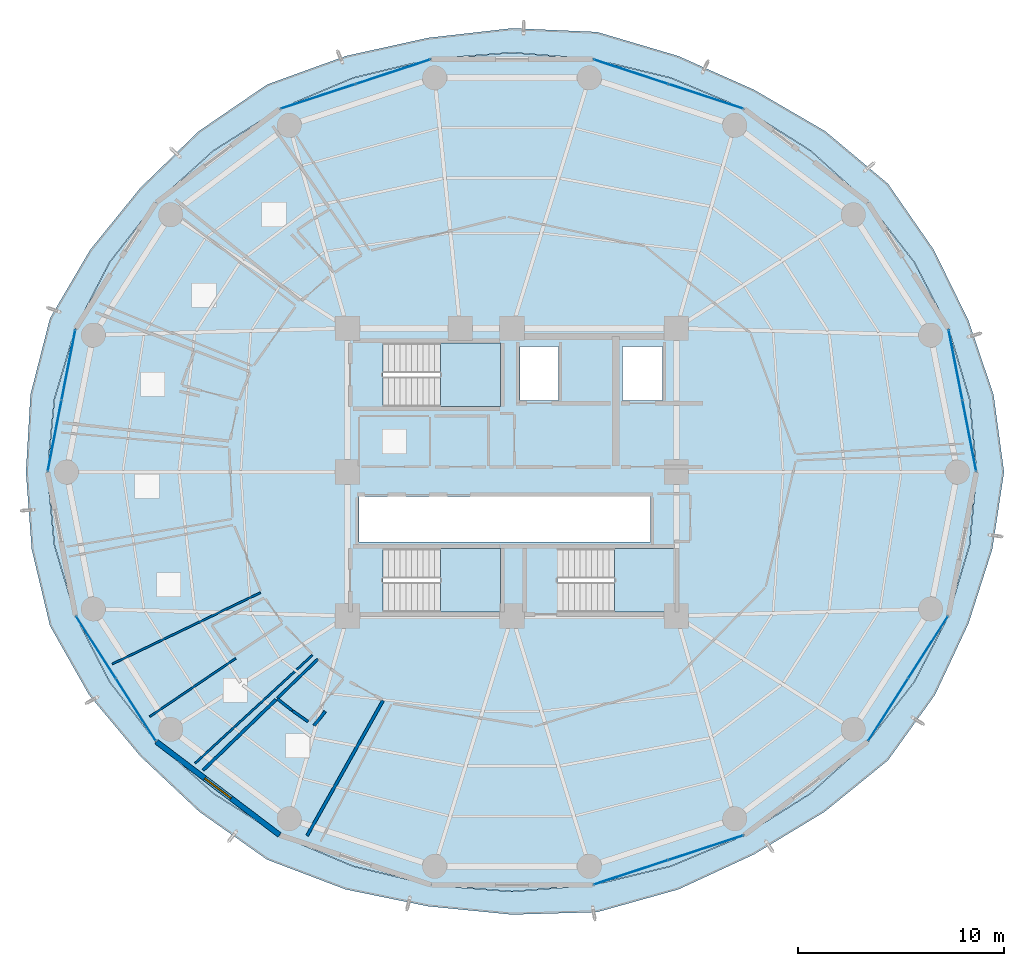
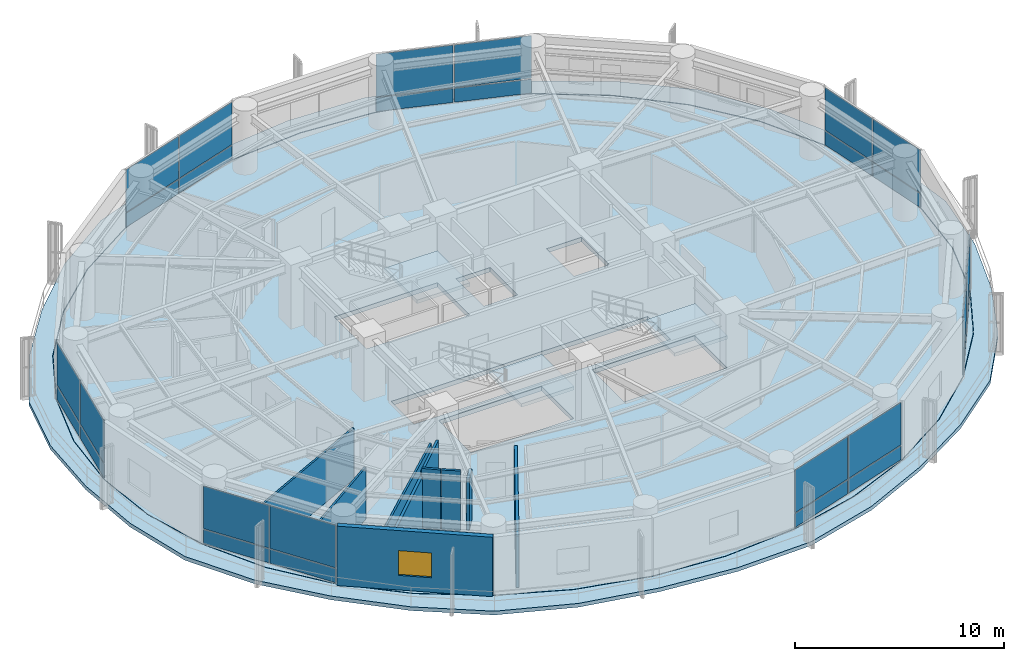
# One storey, part 20 of 27: 28 plates, 10 walls, 5 slabs, 1 window, 1 opening, 10 elements without a shape of their own.
"""IFC4 building model written with IfcOpenShell, lengths in metres."""

from ifc_helpers import new_model, si_unit, direction, frame, frame_2d, origin, origin_2d, place, context, subcontext, project, spatial, polyline, rectangle, outline, extrude, source, transform, mapped, material, layer, layer_set, type_object, element, fill, aggregate, save


model = new_model("IFC4")

# Units and contexts
model_context = context("Model", 3, precision=1e-05, world=origin(), true_north=direction((0.0, 1.0)))
body_context = subcontext(model_context, "Body", "Model", "MODEL_VIEW")
ifc_project = project(units=[si_unit("LENGTHUNIT", "METRE"), si_unit("AREAUNIT", "SQUARE_METRE"), si_unit("VOLUMEUNIT", "CUBIC_METRE"), si_unit("PLANEANGLEUNIT", "RADIAN"), si_unit("MASSUNIT", "GRAM", prefix="KILO")], contexts=[model_context])

# Site, building, storey
site_placement = place(None, origin())
site = spatial("IfcSite", under=ifc_project, at=site_placement, CompositionType="ELEMENT")
building_placement = place(site_placement, origin())
building = spatial("IfcBuilding", under=site, at=building_placement, Name="Kelanora Arch Commons", CompositionType="ELEMENT")
storey_placement = place(building_placement, frame((0.0, 0.0, 165.60009765625)))
storey = spatial("IfcBuildingStorey", under=building, at=storey_placement, Name="L42", CompositionType="ELEMENT", Elevation=165.60009765625)

# Stair, slab
ifc_material_1 = material(Name="Concrete C40/50", Category="concrete")
stair_type = type_object("IfcStairType", Name="STR-DL-375", PredefinedType="HALF_TURN_STAIR", material=ifc_material_1)
stair_1_placement = place(storey_placement, origin())
stair_1 = element("IfcStair", 1, at=stair_1_placement, inside=storey, type_object=stair_type, Name="L42 ST-T1", PredefinedType="HALF_TURN_STAIR")
ifc_layer_1 = layer(ifc_material_1, 0.199951171875)
ifc_layer_set_1 = layer_set([ifc_layer_1], Name="Concrete C40/50")
slab_type_1 = type_object("IfcSlabType", Name="SLB-STAIR-LND", PredefinedType="LANDING", material=ifc_layer_set_1)
slab_1_placement = place(storey_placement, frame((0.0, 0.0, 1.6748046875)))
slab_1 = element("IfcSlab", 2, at=slab_1_placement, type_object=slab_type_1, Name="ST-T1 landing 1", PredefinedType="LANDING", context=body_context, shape_type="SweptSolid", body=[
    extrude(outline(polyline([(70.52001953125, 61.179931640625), (73.43994140625, 61.179931640625), (73.43994140625, 64.2900390625), (70.52001953125, 64.2900390625), (70.52001953125, 61.179931640625)])), origin(), (0.0, 0.0, 1.0), 0.2001953125),
])
aggregate(stair_1, [slab_1])

stair_2_placement = place(storey_placement, origin())
stair_2 = element("IfcStair", 3, at=stair_2_placement, inside=storey, type_object=stair_type, Name="L42 ST-T2", PredefinedType="HALF_TURN_STAIR")
slab_2_placement = place(storey_placement, frame((0.0, 0.0, 1.6748046875)))
slab_2 = element("IfcSlab", 4, at=slab_2_placement, type_object=slab_type_1, Name="ST-T2 landing 1", PredefinedType="LANDING", context=body_context, shape_type="SweptSolid", body=[
    extrude(outline(polyline([(79.0, 51.179931640625), (81.919921875, 51.179931640625), (81.919921875, 54.2900390625), (79.0, 54.2900390625), (79.0, 51.179931640625)])), origin(), (0.0, 0.0, 1.0), 0.2001953125),
])
aggregate(stair_2, [slab_2])

stair_3_placement = place(storey_placement, origin())
stair_3 = element("IfcStair", 5, at=stair_3_placement, inside=storey, type_object=stair_type, Name="L42 ST-T3", PredefinedType="HALF_TURN_STAIR")
slab_3_placement = place(storey_placement, frame((0.0, 0.0, 1.6748046875)))
slab_3 = element("IfcSlab", 6, at=slab_3_placement, type_object=slab_type_1, Name="ST-T3 landing 1", PredefinedType="LANDING", context=body_context, shape_type="SweptSolid", body=[
    extrude(outline(polyline([(70.52001953125, 51.179931640625), (73.43994140625, 51.179931640625), (73.43994140625, 54.2900390625), (70.52001953125, 54.2900390625), (70.52001953125, 51.179931640625)])), origin(), (0.0, 0.0, 1.0), 0.2001953125),
])
aggregate(stair_3, [slab_3])

# Slabs
ifc_layer_2 = layer(ifc_material_1, 0.260009765625)
ifc_layer_set_2 = layer_set([ifc_layer_2], Name="Concrete C40/50")
slab_type_2 = type_object("IfcSlabType", Name="SLB-TWR-TYP", PredefinedType="FLOOR", material=ifc_layer_set_2)
slab_4_placement = place(storey_placement, frame((0.0, 0.0, -0.260009765625)))
element("IfcSlab", 7, at=slab_4_placement, inside=storey, type_object=slab_type_2, Name="Tower Floor Slab L42", PredefinedType="FLOOR", context=body_context, shape_type="SweptSolid", body=[
    extrude(outline(polyline([(96.60009765625, 58.0), (96.256591796875, 61.54248046875), (95.237060546875, 64.977294921875), (93.572265625, 68.199951171875), (91.3125, 71.11279296875), (88.527099609375, 73.627197265625), (85.300048828125, 75.6669921875), (81.729736328125, 77.169677734375), (77.92431640625, 78.090087890625), (74.0, 78.39990234375), (70.07568359375, 78.090087890625), (66.270263671875, 77.169677734375), (62.699951171875, 75.6669921875), (59.472900390625, 73.627197265625), (56.6875, 71.11279296875), (54.427734375, 68.199951171875), (52.762939453125, 64.977294921875), (51.743408203125, 61.54248046875), (51.39990234375, 58.0), (51.743408203125, 54.45751953125), (52.762939453125, 51.022705078125), (54.427734375, 47.800048828125), (56.6875, 44.88720703125), (59.472900390625, 42.372802734375), (62.699951171875, 40.3330078125), (66.270263671875, 38.830322265625), (70.07568359375, 37.909912109375), (74.0, 37.60009765625), (77.92431640625, 37.909912109375), (81.729736328125, 38.830322265625), (85.300048828125, 40.3330078125), (88.527099609375, 42.372802734375), (91.3125, 44.88720703125), (93.572265625, 47.800048828125), (95.237060546875, 51.022705078125), (96.256591796875, 54.45751953125), (96.60009765625, 58.0)]), holes=[polyline([(73.431884765625, 51.18798828125), (67.72802734375, 51.18798828125), (67.72802734375, 54.281982421875), (73.431884765625, 54.281982421875), (73.431884765625, 51.18798828125)]), polyline([(76.2080078125, 51.18798828125), (76.2080078125, 54.281982421875), (81.912109375, 54.281982421875), (81.912109375, 51.18798828125), (76.2080078125, 51.18798828125)]), polyline([(66.550048828125, 54.60009765625), (66.550048828125, 56.800048828125), (80.75, 56.800048828125), (80.75, 54.60009765625), (66.550048828125, 54.60009765625)]), polyline([(73.431884765625, 61.18798828125), (67.72802734375, 61.18798828125), (67.72802734375, 64.281982421875), (73.431884765625, 64.281982421875), (73.431884765625, 61.18798828125)]), polyline([(74.3798828125, 61.47998046875), (74.3798828125, 64.1201171875), (76.260009765625, 64.1201171875), (76.260009765625, 61.47998046875), (74.3798828125, 61.47998046875)]), polyline([(79.3798828125, 61.47998046875), (79.3798828125, 64.1201171875), (81.320068359375, 64.1201171875), (81.320068359375, 61.47998046875), (79.3798828125, 61.47998046875)])]), origin(), (0.0, 0.0, 1.0), 0.260009765625),
])
ifc_layer_3 = layer(ifc_material_1, 0.219970703125)
ifc_layer_set_3 = layer_set([ifc_layer_3], Name="Concrete C40/50")
slab_type_3 = type_object("IfcSlabType", Name="SLB-WAVE-BAL", PredefinedType="FLOOR", material=ifc_layer_set_3)
slab_5_placement = place(storey_placement, frame((0.0, 0.0, -0.22021484375)))
element("IfcSlab", 8, at=slab_5_placement, inside=storey, type_object=slab_type_3, Name="Sinusoidal Wave Balcony Slab L42", PredefinedType="FLOOR", context=body_context, shape_type="SweptSolid", body=[
    extrude(outline(polyline([(97.940673828125, 58.0), (97.42919921875, 61.771484375), (96.2109375, 65.369873046875), (94.52587890625, 68.81005859375), (92.29443359375, 72.025634765625), (89.248291015625, 74.57958984375), (85.785400390625, 76.59814453125), (82.0830078125, 78.2451171875), (78.13525390625, 79.4140625), (74.0, 79.594482421875), (69.910400390625, 79.126953125), (65.9169921875, 78.2451171875), (62.080322265625, 76.855712890625), (58.751708984375, 74.57958984375), (55.91845703125, 71.827880859375), (53.47412109375, 68.81005859375), (51.51953125, 65.478515625), (50.57080078125, 61.771484375), (50.35009765625, 58.0), (50.63232421875, 54.240478515625), (51.51953125, 50.521484375), (53.42138671875, 47.15625), (55.91845703125, 44.172119140625), (58.78955078125, 41.47021484375), (62.080322265625, 39.144287109375), (65.8974609375, 37.6953125), (69.910400390625, 36.873046875), (74.0, 36.468017578125), (78.13525390625, 36.5859375), (82.1025390625, 37.6953125), (85.785400390625, 39.40185546875), (89.21044921875, 41.47021484375), (92.29443359375, 43.974365234375), (94.57861328125, 47.15625), (96.2109375, 50.630126953125), (97.36767578125, 54.240478515625), (97.940673828125, 58.0)]), holes=[polyline([(96.2763671875, 54.4541015625), (95.255859375, 51.015869140625), (93.589599609375, 47.7900390625), (91.327880859375, 44.874267578125), (88.539794921875, 42.357421875), (85.31005859375, 40.31591796875), (81.736572265625, 38.8115234375), (77.927978515625, 37.89013671875), (74.0, 37.580078125), (70.072021484375, 37.89013671875), (66.263427734375, 38.8115234375), (62.68994140625, 40.31591796875), (59.460205078125, 42.357421875), (56.672119140625, 44.874267578125), (54.410400390625, 47.7900390625), (52.744140625, 51.015869140625), (51.7236328125, 54.4541015625), (51.3798828125, 58.0), (51.7236328125, 61.5458984375), (52.744140625, 64.984130859375), (54.410400390625, 68.2099609375), (56.672119140625, 71.125732421875), (59.460205078125, 73.642578125), (62.68994140625, 75.68408203125), (66.263427734375, 77.1884765625), (70.072021484375, 78.10986328125), (74.0, 78.419921875), (77.927978515625, 78.10986328125), (81.736572265625, 77.1884765625), (85.31005859375, 75.68408203125), (88.539794921875, 73.642578125), (91.327880859375, 71.125732421875), (93.589599609375, 68.2099609375), (95.255859375, 64.984130859375), (96.2763671875, 61.5458984375), (96.6201171875, 58.0), (96.2763671875, 54.4541015625)])]), origin(), (0.0, 0.0, 1.0), 0.22021484375),
])

# Curtain wall, plates
ifc_material_2 = material(Name="Terracotta ceramic-fritted low-E glass and aluminium", Category="masonry")
ifc_layer_4 = layer(ifc_material_2, 0.175048828125)
ifc_layer_set_4 = layer_set([ifc_layer_4], Name="Terracotta ceramic-fritted low-E glass and aluminium")
curtain_wall_type = type_object("IfcCurtainWallType", Name="CW-SYS-02", PredefinedType="NOTDEFINED", material=ifc_layer_set_4)
curtain_wall_1_placement = place(storey_placement, origin())
curtain_wall_1 = element("IfcCurtainWall", 9, at=curtain_wall_1_placement, inside=storey, type_object=curtain_wall_type, Name="Unitised Curtain Wall L42-B00", PredefinedType="NOTDEFINED")
ifc_material_3 = material(Name="Terracotta ceramic-fritted double glazing", Category="masonry")
ifc_layer_5 = layer(ifc_material_3, 0.028076171875)
ifc_layer_set_5 = layer_set([ifc_layer_5], Name="Terracotta ceramic-fritted double glazing")
plate_type = type_object("IfcPlateType", Name="CWP-FRIT", PredefinedType="CURTAIN_PANEL", material=ifc_layer_set_5)
shared_shape_1 = source(origin(), body_context, "Body", "SweptSolid", [
    extrude(rectangle(XDim=3.449462890625, YDim=0.028076171875, at=origin_2d()), origin(), (0.0, 0.0, 1.0), 0.81005859375),
])
plate_1_placement = place(storey_placement, frame((96.2548828125, 59.766357421875, 0.059814453125), z_axis=(0.0, 0.0, 1.0), x_axis=(-0.191705182375, 0.981452557718, 0.0)))
plate_1 = element("IfcPlate", 10, at=plate_1_placement, type_object=plate_type, Name="CW-02 panel 1.1", PredefinedType="CURTAIN_PANEL", context=body_context, shape_type="MappedRepresentation", body=[
    mapped(shared_shape_1, transform((0.0, 0.0, 0.0), scale=1.0)),
])
plate_2_placement = place(storey_placement, frame((95.58203125, 63.2109375, 0.059814453125), z_axis=(0.0, 0.0, 1.0), x_axis=(-0.191705182375, 0.981452557718, 0.0)))
plate_2 = element("IfcPlate", 11, at=plate_2_placement, type_object=plate_type, Name="CW-02 panel 2.1", PredefinedType="CURTAIN_PANEL", context=body_context, shape_type="MappedRepresentation", body=[
    mapped(shared_shape_1, transform((0.0, 0.0, 0.0), scale=1.0)),
])

curtain_wall_2_placement = place(storey_placement, origin())
curtain_wall_2 = element("IfcCurtainWall", 12, at=curtain_wall_2_placement, inside=storey, type_object=curtain_wall_type, Name="Unitised Curtain Wall L42-B08", PredefinedType="NOTDEFINED")
plate_3_placement = place(storey_placement, frame((52.41796875, 63.2109375, 0.059814453125), z_axis=(0.0, 0.0, 1.0), x_axis=(-0.191705182375, -0.981452557718, 0.0)))
plate_3 = element("IfcPlate", 13, at=plate_3_placement, type_object=plate_type, Name="CW-02 panel 1.1", PredefinedType="CURTAIN_PANEL", context=body_context, shape_type="MappedRepresentation", body=[
    mapped(shared_shape_1, transform((0.0, 0.0, 0.0), scale=1.0)),
])
plate_4_placement = place(storey_placement, frame((51.7451171875, 59.766357421875, 0.059814453125), z_axis=(0.0, 0.0, 1.0), x_axis=(-0.191705182375, -0.981452557718, 0.0)))
plate_4 = element("IfcPlate", 14, at=plate_4_placement, type_object=plate_type, Name="CW-02 panel 2.1", PredefinedType="CURTAIN_PANEL", context=body_context, shape_type="MappedRepresentation", body=[
    mapped(shared_shape_1, transform((0.0, 0.0, 0.0), scale=1.0)),
])

# Plate
shared_shape_2 = source(origin(), body_context, "Body", "SweptSolid", [
    extrude(rectangle(XDim=3.449462890625, YDim=0.028076171875, at=origin_2d()), origin(), (0.0, 0.0, 1.0), 2.485107421875),
])
plate_5_placement = place(storey_placement, frame((96.2548828125, 59.766357421875, 0.9296875), z_axis=(0.0, 0.0, 1.0), x_axis=(-0.191705182375, 0.981452557718, 0.0)))
plate_5 = element("IfcPlate", 15, at=plate_5_placement, type_object=plate_type, Name="CW-02 panel 1.2", PredefinedType="CURTAIN_PANEL", context=body_context, shape_type="MappedRepresentation", body=[
    mapped(shared_shape_2, transform((0.0, 0.0, 0.0), scale=1.0)),
])

plate_6_placement = place(storey_placement, frame((95.58203125, 63.2109375, 0.9296875), z_axis=(0.0, 0.0, 1.0), x_axis=(-0.191705182375, 0.981452557718, 0.0)))
plate_6 = element("IfcPlate", 16, at=plate_6_placement, type_object=plate_type, Name="CW-02 panel 2.2", PredefinedType="CURTAIN_PANEL", context=body_context, shape_type="MappedRepresentation", body=[
    mapped(shared_shape_2, transform((0.0, 0.0, 0.0), scale=1.0)),
])

aggregate(curtain_wall_1, [plate_1, plate_5, plate_2, plate_6])

plate_7_placement = place(storey_placement, frame((52.41796875, 63.2109375, 0.9296875), z_axis=(0.0, 0.0, 1.0), x_axis=(-0.191705182375, -0.981452557718, 0.0)))
plate_7 = element("IfcPlate", 17, at=plate_7_placement, type_object=plate_type, Name="CW-02 panel 1.2", PredefinedType="CURTAIN_PANEL", context=body_context, shape_type="MappedRepresentation", body=[
    mapped(shared_shape_2, transform((0.0, 0.0, 0.0), scale=1.0)),
])

plate_8_placement = place(storey_placement, frame((51.7451171875, 59.766357421875, 0.9296875), z_axis=(0.0, 0.0, 1.0), x_axis=(-0.191705182375, -0.981452557718, 0.0)))
plate_8 = element("IfcPlate", 18, at=plate_8_placement, type_object=plate_type, Name="CW-02 panel 2.2", PredefinedType="CURTAIN_PANEL", context=body_context, shape_type="MappedRepresentation", body=[
    mapped(shared_shape_2, transform((0.0, 0.0, 0.0), scale=1.0)),
])

aggregate(curtain_wall_2, [plate_3, plate_7, plate_4, plate_8])

# Curtain wall, plates
curtain_wall_3_placement = place(storey_placement, origin())
curtain_wall_3 = element("IfcCurtainWall", 19, at=curtain_wall_3_placement, inside=storey, type_object=curtain_wall_type, Name="Unitised Curtain Wall L42-B03", PredefinedType="NOTDEFINED")
shared_shape_3 = source(origin(), body_context, "Body", "SweptSolid", [
    extrude(rectangle(XDim=3.776611328125, YDim=0.028076171875, at=origin_2d()), origin(), (0.0, 0.0, 1.0), 0.81005859375),
])
plate_9_placement = place(storey_placement, frame((83.434814453125, 76.27978515625, 0.059814453125), z_axis=(0.0, 0.0, 1.0), x_axis=(-0.95003996605, 0.312128279571, 0.0)))
plate_9 = element("IfcPlate", 20, at=plate_9_placement, type_object=plate_type, Name="CW-02 panel 1.1", PredefinedType="CURTAIN_PANEL", context=body_context, shape_type="MappedRepresentation", body=[
    mapped(shared_shape_3, transform((0.0, 0.0, 0.0), scale=1.0)),
])
plate_10_placement = place(storey_placement, frame((79.789794921875, 77.477294921875, 0.059814453125), z_axis=(0.0, 0.0, 1.0), x_axis=(-0.95003996605, 0.312128279571, 0.0)))
plate_10 = element("IfcPlate", 21, at=plate_10_placement, type_object=plate_type, Name="CW-02 panel 2.1", PredefinedType="CURTAIN_PANEL", context=body_context, shape_type="MappedRepresentation", body=[
    mapped(shared_shape_3, transform((0.0, 0.0, 0.0), scale=1.0)),
])

curtain_wall_4_placement = place(storey_placement, origin())
curtain_wall_4 = element("IfcCurtainWall", 22, at=curtain_wall_4_placement, inside=storey, type_object=curtain_wall_type, Name="Unitised Curtain Wall L42-B05", PredefinedType="NOTDEFINED")
plate_11_placement = place(storey_placement, frame((68.210205078125, 77.477294921875, 0.059814453125), z_axis=(0.0, 0.0, 1.0), x_axis=(-0.95003996605, -0.312128279571, 0.0)))
plate_11 = element("IfcPlate", 23, at=plate_11_placement, type_object=plate_type, Name="CW-02 panel 1.1", PredefinedType="CURTAIN_PANEL", context=body_context, shape_type="MappedRepresentation", body=[
    mapped(shared_shape_3, transform((0.0, 0.0, 0.0), scale=1.0)),
])
plate_12_placement = place(storey_placement, frame((64.565185546875, 76.27978515625, 0.059814453125), z_axis=(0.0, 0.0, 1.0), x_axis=(-0.95003996605, -0.312128279571, 0.0)))
plate_12 = element("IfcPlate", 24, at=plate_12_placement, type_object=plate_type, Name="CW-02 panel 2.1", PredefinedType="CURTAIN_PANEL", context=body_context, shape_type="MappedRepresentation", body=[
    mapped(shared_shape_3, transform((0.0, 0.0, 0.0), scale=1.0)),
])

curtain_wall_5_placement = place(storey_placement, origin())
curtain_wall_5 = element("IfcCurtainWall", 25, at=curtain_wall_5_placement, inside=storey, type_object=curtain_wall_type, Name="Unitised Curtain Wall L42-B14", PredefinedType="NOTDEFINED")
plate_13_placement = place(storey_placement, frame((79.789794921875, 38.522705078125, 0.059814453125), z_axis=(0.0, 0.0, 1.0), x_axis=(0.95003996605, 0.312128279571, 0.0)))
plate_13 = element("IfcPlate", 26, at=plate_13_placement, type_object=plate_type, Name="CW-02 panel 1.1", PredefinedType="CURTAIN_PANEL", context=body_context, shape_type="MappedRepresentation", body=[
    mapped(shared_shape_3, transform((0.0, 0.0, 0.0), scale=1.0)),
])
plate_14_placement = place(storey_placement, frame((83.434814453125, 39.72021484375, 0.059814453125), z_axis=(0.0, 0.0, 1.0), x_axis=(0.95003996605, 0.312128279571, 0.0)))
plate_14 = element("IfcPlate", 27, at=plate_14_placement, type_object=plate_type, Name="CW-02 panel 2.1", PredefinedType="CURTAIN_PANEL", context=body_context, shape_type="MappedRepresentation", body=[
    mapped(shared_shape_3, transform((0.0, 0.0, 0.0), scale=1.0)),
])

# Plate
shared_shape_4 = source(origin(), body_context, "Body", "SweptSolid", [
    extrude(rectangle(XDim=3.776611328125, YDim=0.028076171875, at=origin_2d()), origin(), (0.0, 0.0, 1.0), 2.485107421875),
])
plate_15_placement = place(storey_placement, frame((83.434814453125, 76.27978515625, 0.9296875), z_axis=(0.0, 0.0, 1.0), x_axis=(-0.95003996605, 0.312128279571, 0.0)))
plate_15 = element("IfcPlate", 28, at=plate_15_placement, type_object=plate_type, Name="CW-02 panel 1.2", PredefinedType="CURTAIN_PANEL", context=body_context, shape_type="MappedRepresentation", body=[
    mapped(shared_shape_4, transform((0.0, 0.0, 0.0), scale=1.0)),
])

plate_16_placement = place(storey_placement, frame((79.789794921875, 77.477294921875, 0.9296875), z_axis=(0.0, 0.0, 1.0), x_axis=(-0.95003996605, 0.312128279571, 0.0)))
plate_16 = element("IfcPlate", 29, at=plate_16_placement, type_object=plate_type, Name="CW-02 panel 2.2", PredefinedType="CURTAIN_PANEL", context=body_context, shape_type="MappedRepresentation", body=[
    mapped(shared_shape_4, transform((0.0, 0.0, 0.0), scale=1.0)),
])

aggregate(curtain_wall_3, [plate_9, plate_15, plate_10, plate_16])

plate_17_placement = place(storey_placement, frame((68.210205078125, 77.477294921875, 0.9296875), z_axis=(0.0, 0.0, 1.0), x_axis=(-0.95003996605, -0.312128279571, 0.0)))
plate_17 = element("IfcPlate", 30, at=plate_17_placement, type_object=plate_type, Name="CW-02 panel 1.2", PredefinedType="CURTAIN_PANEL", context=body_context, shape_type="MappedRepresentation", body=[
    mapped(shared_shape_4, transform((0.0, 0.0, 0.0), scale=1.0)),
])

plate_18_placement = place(storey_placement, frame((64.565185546875, 76.27978515625, 0.9296875), z_axis=(0.0, 0.0, 1.0), x_axis=(-0.95003996605, -0.312128279571, 0.0)))
plate_18 = element("IfcPlate", 31, at=plate_18_placement, type_object=plate_type, Name="CW-02 panel 2.2", PredefinedType="CURTAIN_PANEL", context=body_context, shape_type="MappedRepresentation", body=[
    mapped(shared_shape_4, transform((0.0, 0.0, 0.0), scale=1.0)),
])

aggregate(curtain_wall_4, [plate_11, plate_17, plate_12, plate_18])

plate_19_placement = place(storey_placement, frame((79.789794921875, 38.522705078125, 0.9296875), z_axis=(0.0, 0.0, 1.0), x_axis=(0.95003996605, 0.312128279571, 0.0)))
plate_19 = element("IfcPlate", 32, at=plate_19_placement, type_object=plate_type, Name="CW-02 panel 1.2", PredefinedType="CURTAIN_PANEL", context=body_context, shape_type="MappedRepresentation", body=[
    mapped(shared_shape_4, transform((0.0, 0.0, 0.0), scale=1.0)),
])

plate_20_placement = place(storey_placement, frame((83.434814453125, 39.72021484375, 0.9296875), z_axis=(0.0, 0.0, 1.0), x_axis=(0.95003996605, 0.312128279571, 0.0)))
plate_20 = element("IfcPlate", 33, at=plate_20_placement, type_object=plate_type, Name="CW-02 panel 2.2", PredefinedType="CURTAIN_PANEL", context=body_context, shape_type="MappedRepresentation", body=[
    mapped(shared_shape_4, transform((0.0, 0.0, 0.0), scale=1.0)),
])

aggregate(curtain_wall_5, [plate_13, plate_19, plate_14, plate_20])

# Curtain wall, plates
curtain_wall_6_placement = place(storey_placement, origin())
curtain_wall_6 = element("IfcCurtainWall", 34, at=curtain_wall_6_placement, inside=storey, type_object=curtain_wall_type, Name="Unitised Curtain Wall L42-B10", PredefinedType="NOTDEFINED")
shared_shape_5 = source(origin(), body_context, "Body", "SweptSolid", [
    extrude(rectangle(XDim=3.53662109375, YDim=0.028076171875, at=origin_2d()), origin(), (0.0, 0.0, 1.0), 0.81005859375),
])
plate_21_placement = place(storey_placement, frame((53.756103515625, 49.469970703125, 0.059814453125), z_axis=(0.0, 0.0, 1.0), x_axis=(0.538816988983, -0.842422846546, 0.0)))
plate_21 = element("IfcPlate", 35, at=plate_21_placement, type_object=plate_type, Name="CW-02 panel 1.1", PredefinedType="CURTAIN_PANEL", context=body_context, shape_type="MappedRepresentation", body=[
    mapped(shared_shape_5, transform((0.0, 0.0, 0.0), scale=1.0)),
])
plate_22_placement = place(storey_placement, frame((55.694091796875, 46.43994140625, 0.059814453125), z_axis=(0.0, 0.0, 1.0), x_axis=(0.538816988983, -0.842422846546, 0.0)))
plate_22 = element("IfcPlate", 36, at=plate_22_placement, type_object=plate_type, Name="CW-02 panel 2.1", PredefinedType="CURTAIN_PANEL", context=body_context, shape_type="MappedRepresentation", body=[
    mapped(shared_shape_5, transform((0.0, 0.0, 0.0), scale=1.0)),
])

curtain_wall_7_placement = place(storey_placement, origin())
curtain_wall_7 = element("IfcCurtainWall", 37, at=curtain_wall_7_placement, inside=storey, type_object=curtain_wall_type, Name="Unitised Curtain Wall L42-B16", PredefinedType="NOTDEFINED")
plate_23_placement = place(storey_placement, frame((92.305908203125, 46.43994140625, 0.059814453125), z_axis=(0.0, 0.0, 1.0), x_axis=(0.538816988983, 0.842422846546, 0.0)))
plate_23 = element("IfcPlate", 38, at=plate_23_placement, type_object=plate_type, Name="CW-02 panel 1.1", PredefinedType="CURTAIN_PANEL", context=body_context, shape_type="MappedRepresentation", body=[
    mapped(shared_shape_5, transform((0.0, 0.0, 0.0), scale=1.0)),
])
plate_24_placement = place(storey_placement, frame((94.243896484375, 49.469970703125, 0.059814453125), z_axis=(0.0, 0.0, 1.0), x_axis=(0.538816988983, 0.842422846546, 0.0)))
plate_24 = element("IfcPlate", 39, at=plate_24_placement, type_object=plate_type, Name="CW-02 panel 2.1", PredefinedType="CURTAIN_PANEL", context=body_context, shape_type="MappedRepresentation", body=[
    mapped(shared_shape_5, transform((0.0, 0.0, 0.0), scale=1.0)),
])

# Plate
shared_shape_6 = source(origin(), body_context, "Body", "SweptSolid", [
    extrude(rectangle(XDim=3.53662109375, YDim=0.028076171875, at=origin_2d()), origin(), (0.0, 0.0, 1.0), 2.485107421875),
])
plate_25_placement = place(storey_placement, frame((53.756103515625, 49.469970703125, 0.9296875), z_axis=(0.0, 0.0, 1.0), x_axis=(0.538816988983, -0.842422846546, 0.0)))
plate_25 = element("IfcPlate", 40, at=plate_25_placement, type_object=plate_type, Name="CW-02 panel 1.2", PredefinedType="CURTAIN_PANEL", context=body_context, shape_type="MappedRepresentation", body=[
    mapped(shared_shape_6, transform((0.0, 0.0, 0.0), scale=1.0)),
])

plate_26_placement = place(storey_placement, frame((55.694091796875, 46.43994140625, 0.9296875), z_axis=(0.0, 0.0, 1.0), x_axis=(0.538816988983, -0.842422846546, 0.0)))
plate_26 = element("IfcPlate", 41, at=plate_26_placement, type_object=plate_type, Name="CW-02 panel 2.2", PredefinedType="CURTAIN_PANEL", context=body_context, shape_type="MappedRepresentation", body=[
    mapped(shared_shape_6, transform((0.0, 0.0, 0.0), scale=1.0)),
])

aggregate(curtain_wall_6, [plate_21, plate_25, plate_22, plate_26])

plate_27_placement = place(storey_placement, frame((92.305908203125, 46.43994140625, 0.9296875), z_axis=(0.0, 0.0, 1.0), x_axis=(0.538816988983, 0.842422846546, 0.0)))
plate_27 = element("IfcPlate", 42, at=plate_27_placement, type_object=plate_type, Name="CW-02 panel 1.2", PredefinedType="CURTAIN_PANEL", context=body_context, shape_type="MappedRepresentation", body=[
    mapped(shared_shape_6, transform((0.0, 0.0, 0.0), scale=1.0)),
])

plate_28_placement = place(storey_placement, frame((94.243896484375, 49.469970703125, 0.9296875), z_axis=(0.0, 0.0, 1.0), x_axis=(0.538816988983, 0.842422846546, 0.0)))
plate_28 = element("IfcPlate", 43, at=plate_28_placement, type_object=plate_type, Name="CW-02 panel 2.2", PredefinedType="CURTAIN_PANEL", context=body_context, shape_type="MappedRepresentation", body=[
    mapped(shared_shape_6, transform((0.0, 0.0, 0.0), scale=1.0)),
])

aggregate(curtain_wall_7, [plate_23, plate_27, plate_24, plate_28])

# Walls
ifc_material_4 = material(Name="Autoclaved aerated concrete blockwork with fire plaster", Category="masonry")
ifc_layer_6 = layer(ifc_material_4, 0.14990234375)
ifc_layer_set_6 = layer_set([ifc_layer_6], Name="Autoclaved aerated concrete blockwork with fire plaster")
wall_type_1 = type_object("IfcWallType", Name="W-COMP-150", PredefinedType="PARTITIONING", material=ifc_layer_set_6)
wall_1_placement = place(storey_placement, frame((67.723388671875, 46.880126953125, 0.0), z_axis=(0.0, 0.0, 1.0), x_axis=(-0.489843086235, -0.8718106164, 0.0)))
element("IfcWall", 44, at=wall_1_placement, inside=storey, type_object=wall_type_1, Name="Cluster Bedroom L42-07 Enclosure Partition 2", PredefinedType="PARTITIONING", context=body_context, shape_type="SweptSolid", body=[
    extrude(rectangle(XDim=7.540771484375, YDim=0.14990234375, at=frame_2d((3.7705078125, 0.0))), origin(), (0.0, 0.0, 1.0), 3.02490234375),
])
wall_2_placement = place(storey_placement, frame((58.9658203125, 43.49169921875, 0.0), z_axis=(0.0, 0.0, 1.0), x_axis=(0.718569427948, 0.695455230204, 0.0)))
element("IfcWall", 45, at=wall_2_placement, inside=storey, type_object=wall_type_1, Name="Cluster Bedroom L42-07 Enclosure Partition 5", PredefinedType="PARTITIONING", context=body_context, shape_type="SweptSolid", body=[
    extrude(rectangle(XDim=4.9326171875, YDim=0.14990234375, at=frame_2d((2.46630859375, 0.0))), origin(), (0.0, 0.0, 1.0), 3.02490234375),
])
wall_3_placement = place(storey_placement, frame((64.37060546875, 45.66357421875, 0.0), z_axis=(0.0, 0.0, 1.0), x_axis=(0.613921364126, 0.789367188747, 0.0)))
element("IfcWall", 46, at=wall_3_placement, inside=storey, type_object=wall_type_1, Name="Cluster Bedroom L42-07 Enclosure Partition 7", PredefinedType="PARTITIONING", context=body_context, shape_type="SweptSolid", body=[
    extrude(rectangle(XDim=0.878173828125, YDim=0.14990234375, at=frame_2d((0.43896484375, 0.0))), origin(), (0.0, 0.0, 1.0), 2.974853515625),
])

# Wall, opening, window
ifc_material_5 = material(Name="Precast concrete C40/50 with terracotta rainscreen", Category="masonry")
ifc_layer_7 = layer(ifc_material_5, 0.260009765625)
ifc_layer_set_7 = layer_set([ifc_layer_7], Name="Precast concrete C40/50 with terracotta rainscreen")
wall_type_2 = type_object("IfcWallType", Name="W-EXT-TC", PredefinedType="SOLIDWALL", material=ifc_layer_set_7)
wall_4_placement = place(storey_placement, frame((56.699462890625, 44.8779296875, 0.0), z_axis=(0.0, 0.0, 1.0), x_axis=(0.797163719609, -0.603763202042, 0.0)))
wall_4 = element("IfcWall", 47, at=wall_4_placement, inside=storey, type_object=wall_type_2, Name="Terracotta Exterior Wall L42-B11", PredefinedType="SOLIDWALL", context=body_context, shape_type="SweptSolid", body=[
    extrude(rectangle(XDim=7.51220703125, YDim=0.260009765625, at=frame_2d((3.756103515625, 0.0))), origin(), (0.0, 0.0, 1.0), 3.474853515625),
])
opening_placement = place(wall_4_placement, frame((2.9560546875, 0.0, 0.85009765625)))
opening = element("IfcOpeningElement", 48, at=opening_placement, cuts=wall_4, Name="Opening WN-01", PredefinedType="OPENING", context=body_context, shape_type="SweptSolid", body=[
    extrude(rectangle(XDim=1.60009765625, YDim=1.449951171875, at=frame_2d((0.800048828125, 0.72509765625))), frame((0.0, 0.14013671875, 0.0), z_axis=(0.0, -1.0, 0.0), x_axis=(1.0, 0.0, 0.0)), (0.0, 0.0, 1.0), 0.280029296875),
])
ifc_material_6 = material(Name="Terracotta-anodised aluminium frame with operable low-E glazing", Category="masonry")
window_type = type_object("IfcWindowType", Name="WIN-CL-18", PartitioningType="DOUBLE_PANEL_VERTICAL", PredefinedType="WINDOW", material=ifc_material_6)
window_placement = place(opening_placement, origin())
window = element("IfcWindow", 49, at=window_placement, inside=storey, type_object=window_type, Name="Co-Living Operable Window L42-B11", OverallHeight=1.449951171875, OverallWidth=1.60009765625, PartitioningType="SINGLE_PANEL", PredefinedType="WINDOW", context=body_context, shape_type="SweptSolid", body=[
    extrude(rectangle(XDim=1.60009765625, YDim=1.449951171875, at=frame_2d((0.800048828125, 0.72509765625))), frame((0.0, 0.030029296875, 0.0), z_axis=(0.0, -1.0, 0.0), x_axis=(1.0, 0.0, 0.0)), (0.0, 0.0, 1.0), 0.06005859375),
])
fill(opening, window)

# Walls
ifc_material_7 = material(Name="Lightweight fire-rated acoustic stud partition")
ifc_layer_8 = layer(ifc_material_7, 0.10009765625)
ifc_layer_set_8 = layer_set([ifc_layer_8], Name="Lightweight fire-rated acoustic stud partition")
wall_type_3 = type_object("IfcWallType", Name="W-PART-100", PredefinedType="PARTITIONING", material=ifc_layer_set_8)
wall_5_placement = place(storey_placement, frame((61.760986328125, 52.133544921875, 0.0), z_axis=(0.0, 0.0, 1.0), x_axis=(-0.900968975812, -0.433883515042, 0.0)))
element("IfcWall", 50, at=wall_5_placement, inside=storey, type_object=wall_type_3, Name="Social Sky Lounge L42-05 Enclosure Partition 2", PredefinedType="PARTITIONING", context=body_context, shape_type="SweptSolid", body=[
    extrude(rectangle(XDim=8.000244140625, YDim=0.10009765625, at=frame_2d((4.0, 0.0))), origin(), (0.0, 0.0, 1.0), 2.974853515625),
])
wall_6_placement = place(storey_placement, frame((64.29150390625, 49.093994140625, 0.0), z_axis=(0.0, 0.0, 1.0), x_axis=(-0.73529828134, -0.677743636973, 0.0)))
element("IfcWall", 51, at=wall_6_placement, inside=storey, type_object=wall_type_3, Name="Tutorial Study Alcove L42-06 Enclosure Partition 2", PredefinedType="PARTITIONING", context=body_context, shape_type="SweptSolid", body=[
    extrude(rectangle(XDim=7.771240234375, YDim=0.10009765625, at=frame_2d((3.8857421875, 0.0))), origin(), (0.0, 0.0, 1.0), 3.02490234375),
])
wall_7_placement = place(storey_placement, frame((56.3671875, 46.096435546875, 0.0), z_axis=(0.0, 0.0, 1.0), x_axis=(0.828061619218, 0.560637097219, 0.0)))
element("IfcWall", 52, at=wall_7_placement, inside=storey, type_object=wall_type_3, Name="Tutorial Study Alcove L42-06 Enclosure Partition 4", PredefinedType="PARTITIONING", context=body_context, shape_type="SweptSolid", body=[
    extrude(rectangle(XDim=5.06494140625, YDim=0.10009765625, at=frame_2d((2.532470703125, 0.0))), origin(), (0.0, 0.0, 1.0), 3.02490234375),
])
ifc_material_8 = material(Name="Moisture-resistant fire-rated cement-board plumbing wall")
ifc_layer_9 = layer(ifc_material_8, 0.1298828125)
ifc_layer_set_9 = layer_set([ifc_layer_9], Name="Moisture-resistant fire-rated cement-board plumbing wall")
wall_type_4 = type_object("IfcWallType", Name="W-WET-120", PredefinedType="PLUMBINGWALL", material=ifc_layer_set_9)
wall_8_placement = place(storey_placement, frame((64.07958984375, 45.8525390625, 0.0), z_axis=(0.0, 0.0, 1.0), x_axis=(-0.819219412421, 0.57348021266, 0.0)))
element("IfcWall", 53, at=wall_8_placement, inside=storey, type_object=wall_type_4, Name="En-Suite Shower WC L42-07 Enclosure Partition 4", PredefinedType="PLUMBINGWALL", context=body_context, shape_type="SweptSolid", body=[
    extrude(rectangle(XDim=0.9169921875, YDim=0.1298828125, at=frame_2d((0.45849609375, 0.0))), origin(), (0.0, 0.0, 1.0), 3.47998046875),
])
wall_9_placement = place(storey_placement, frame((63.29638671875, 46.40234375, 0.0), z_axis=(0.0, 0.0, 1.0), x_axis=(-0.783920729318, 0.620860926573, 0.0)))
element("IfcWall", 54, at=wall_9_placement, inside=storey, type_object=wall_type_4, Name="En-Suite Shower WC L42-07 Enclosure Partition 5", PredefinedType="PLUMBINGWALL", context=body_context, shape_type="SweptSolid", body=[
    extrude(rectangle(XDim=0.910400390625, YDim=0.1298828125, at=frame_2d((0.455078125, 0.0))), origin(), (0.0, 0.0, 1.0), 3.47998046875),
])
wall_10_placement = place(storey_placement, frame((62.581298828125, 46.993896484375, 0.0), z_axis=(0.0, 0.0, 1.0), x_axis=(0.719038860306, 0.694969867958, 0.0)))
element("IfcWall", 55, at=wall_10_placement, inside=storey, type_object=wall_type_4, Name="En-Suite Shower WC L42-07 Enclosure Partition 6", PredefinedType="PLUMBINGWALL", context=body_context, shape_type="SweptSolid", body=[
    extrude(rectangle(XDim=2.73876953125, YDim=0.1298828125, at=frame_2d((1.369384765625, 0.0))), origin(), (0.0, 0.0, 1.0), 3.23486328125),
])

save(model, "model.ifc")
